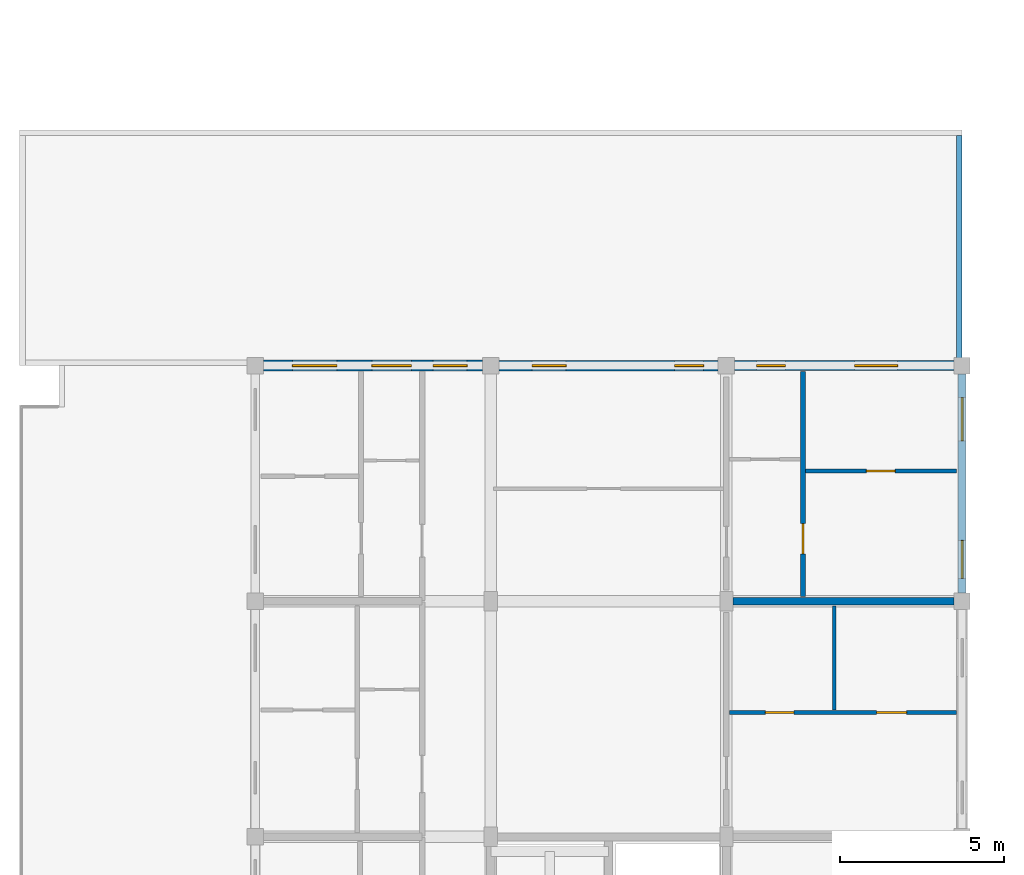
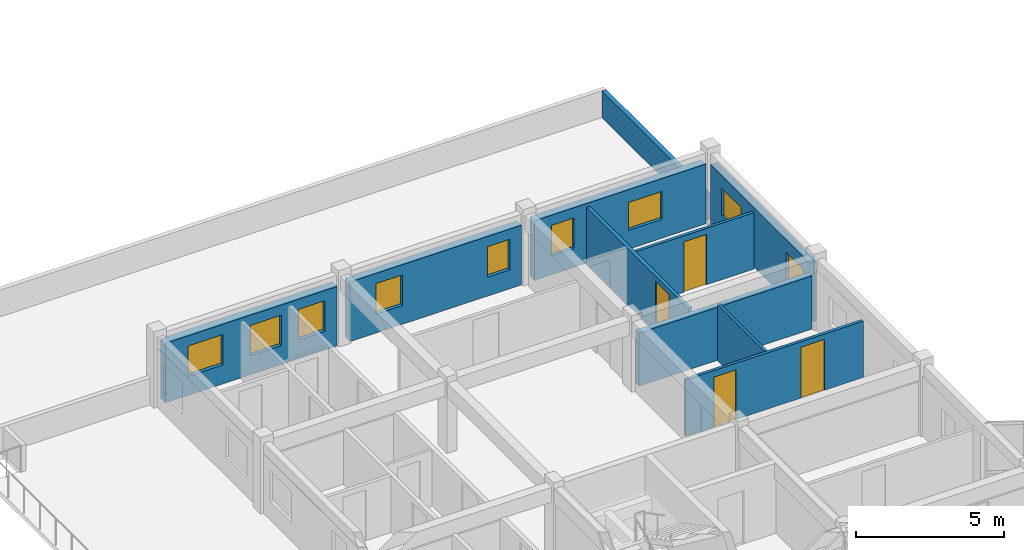
# One storey, part 58 of 70: 10 walls, 9 windows, 4 doors, 13 openings.
"""IFC4 building model written with IfcOpenShell, lengths in metres."""

from ifc_helpers import new_model, si_unit, direction, frame, frame_2d, origin, place, context, subcontext, project, spatial, rectangle, extrude, material, layer, layer_set, type_object, element, fill, save


model = new_model("IFC4")

# Units and contexts
model_context = context("Model", 3, precision=1e-05, world=origin(), true_north=direction((0.0, 1.0)))
body_context = subcontext(model_context, "Body", "Model", "MODEL_VIEW")
ifc_project = project(units=[si_unit("LENGTHUNIT", "METRE"), si_unit("AREAUNIT", "SQUARE_METRE"), si_unit("VOLUMEUNIT", "CUBIC_METRE"), si_unit("PLANEANGLEUNIT", "RADIAN"), si_unit("MASSUNIT", "GRAM", prefix="KILO"), si_unit("THERMODYNAMICTEMPERATUREUNIT", "KELVIN"), si_unit("POWERUNIT", "WATT")], contexts=[model_context])

# Site, building, storey
site_placement = place(None, origin())
site = spatial("IfcSite", under=ifc_project, at=site_placement, CompositionType="ELEMENT")
building_placement = place(site_placement, origin())
building = spatial("IfcBuilding", under=site, at=building_placement, Name="Tavuni Mirador Residences", CompositionType="ELEMENT")
storey_placement = place(building_placement, frame((0.0, 0.0, 23.39990234375)))
storey = spatial("IfcBuildingStorey", under=building, at=storey_placement, Name="L07", CompositionType="ELEMENT", Elevation=23.39990234375)

# Wall, openings, windows
ifc_material_1 = material(Name="Precast concrete C40/50", Category="concrete")
ifc_layer_1 = layer(ifc_material_1, 0.330078125, Name="Precast concrete C40/50", Category="concrete")
ifc_layer_set_1 = layer_set([ifc_layer_1], Name="Precast concrete C40/50")
wall_type_1 = type_object("IfcWallType", Name="WT-EXT-COR330", PredefinedType="SOLIDWALL", material=ifc_layer_set_1)
wall_1_placement = place(storey_placement, frame((104.14990234375, 129.60009765625, 0.0), z_axis=(0.0, 0.0, 1.0), x_axis=(-1.0, 0.0, 0.0)))
wall_1 = element("IfcWall", 1, at=wall_1_placement, inside=storey, type_object=wall_type_1, Name="EW-BLK-D-L07-N00", PredefinedType="SOLIDWALL", context=body_context, shape_type="SweptSolid", body=[
    extrude(rectangle(XDim=6.699951171875, YDim=0.330078125, at=frame_2d((3.35009765625, 0.0))), origin(), (0.0, 0.0, 1.0), 2.460205078125),
])
opening_1_placement = place(wall_1_placement, frame((0.47509765625, 0.0, 0.780029296875)))
opening_1 = element("IfcOpeningElement", 2, at=opening_1_placement, cuts=wall_1, Name="Opening WN-11", PredefinedType="OPENING", context=body_context, shape_type="SweptSolid", body=[
    extrude(rectangle(XDim=1.0400390625, YDim=1.260009765625, at=frame_2d((0.52001953125, 0.6298828125))), frame((0.0, 0.175048828125, 0.0), z_axis=(0.0, -1.0, 0.0), x_axis=(1.0, 0.0, 0.0)), (0.0, 0.0, 1.0), 0.35009765625),
])
opening_2_placement = place(wall_1_placement, frame((2.179931640625, 0.0, 0.780029296875)))
opening_2 = element("IfcOpeningElement", 3, at=opening_2_placement, cuts=wall_1, Name="Opening WN-13", PredefinedType="OPENING", context=body_context, shape_type="SweptSolid", body=[
    extrude(rectangle(XDim=1.199951171875, YDim=1.260009765625, at=frame_2d((0.60009765625, 0.6298828125))), frame((0.0, 0.175048828125, 0.0), z_axis=(0.0, -1.0, 0.0), x_axis=(1.0, 0.0, 0.0)), (0.0, 0.0, 1.0), 0.35009765625),
])
opening_3_placement = place(wall_1_placement, frame((4.455078125, 0.0, 0.780029296875)))
opening_3 = element("IfcOpeningElement", 4, at=opening_3_placement, cuts=wall_1, Name="Opening WN-15", PredefinedType="OPENING", context=body_context, shape_type="SweptSolid", body=[
    extrude(rectangle(XDim=1.360107421875, YDim=1.260009765625, at=frame_2d((0.68017578125, 0.6298828125))), frame((0.0, 0.175048828125, 0.0), z_axis=(0.0, -1.0, 0.0), x_axis=(1.0, 0.0, 0.0)), (0.0, 0.0, 1.0), 0.35009765625),
])
ifc_material_2 = material(Name="Laminated solar-control glass", Category="glass")
window_type_1 = type_object("IfcWindowType", Name="WNT-11", PartitioningType="SINGLE_PANEL", PredefinedType="WINDOW", material=ifc_material_2)
window_1_placement = place(opening_1_placement, origin())
window_1 = element("IfcWindow", 5, at=window_1_placement, inside=storey, type_object=window_type_1, Name="WIN-1713", OverallHeight=1.260009765625, OverallWidth=1.0400390625, PartitioningType="SINGLE_PANEL", PredefinedType="WINDOW", context=body_context, shape_type="SweptSolid", body=[
    extrude(rectangle(XDim=1.0400390625, YDim=1.260009765625, at=frame_2d((0.52001953125, 0.6298828125))), frame((0.0, 0.030029296875, 0.0), z_axis=(0.0, -1.0, 0.0), x_axis=(1.0, 0.0, 0.0)), (0.0, 0.0, 1.0), 0.06005859375),
])
fill(opening_1, window_1)
window_type_2 = type_object("IfcWindowType", Name="WNT-13", PartitioningType="SINGLE_PANEL", PredefinedType="WINDOW", material=ifc_material_2)
window_2_placement = place(opening_2_placement, origin())
window_2 = element("IfcWindow", 6, at=window_2_placement, inside=storey, type_object=window_type_2, Name="WIN-1714", OverallHeight=1.260009765625, OverallWidth=1.199951171875, PartitioningType="SINGLE_PANEL", PredefinedType="WINDOW", context=body_context, shape_type="SweptSolid", body=[
    extrude(rectangle(XDim=1.199951171875, YDim=1.260009765625, at=frame_2d((0.60009765625, 0.6298828125))), frame((0.0, 0.030029296875, 0.0), z_axis=(0.0, -1.0, 0.0), x_axis=(1.0, 0.0, 0.0)), (0.0, 0.0, 1.0), 0.06005859375),
])
fill(opening_2, window_2)
window_type_3 = type_object("IfcWindowType", Name="WNT-15", PartitioningType="SINGLE_PANEL", PredefinedType="WINDOW", material=ifc_material_2)
window_3_placement = place(opening_3_placement, origin())
window_3 = element("IfcWindow", 7, at=window_3_placement, inside=storey, type_object=window_type_3, Name="WIN-1715", OverallHeight=1.260009765625, OverallWidth=1.360107421875, PartitioningType="SINGLE_PANEL", PredefinedType="WINDOW", context=body_context, shape_type="SweptSolid", body=[
    extrude(rectangle(XDim=1.360107421875, YDim=1.260009765625, at=frame_2d((0.68017578125, 0.6298828125))), frame((0.0, 0.030029296875, 0.0), z_axis=(0.0, -1.0, 0.0), x_axis=(1.0, 0.0, 0.0)), (0.0, 0.0, 1.0), 0.06005859375),
])
fill(opening_3, window_3)

ifc_material_3 = material(Name="Sgraffito lime-rendered precast concrete C40/50", Category="concrete")
ifc_layer_2 = layer(ifc_material_3, 0.2548828125, Name="Sgraffito lime-rendered precast concrete C40/50", Category="concrete")
ifc_layer_set_2 = layer_set([ifc_layer_2], Name="Sgraffito lime-rendered precast concrete C40/50")
wall_type_2 = type_object("IfcWallType", Name="WT-EXT-PC255", PredefinedType="SOLIDWALL", material=ifc_layer_set_2)
wall_2_placement = place(storey_placement, frame((118.800048828125, 122.64990234375, 0.0), z_axis=(0.0, 0.0, 1.0), x_axis=(0.0, 1.0, 0.0)))
wall_2 = element("IfcWall", 8, at=wall_2_placement, inside=storey, type_object=wall_type_2, Name="EW-BLK-D-L07-E05", PredefinedType="SOLIDWALL", context=body_context, shape_type="SweptSolid", body=[
    extrude(rectangle(XDim=6.7001953125, YDim=0.2548828125, at=frame_2d((3.35009765625, 0.0))), origin(), (0.0, 0.0, 1.0), 2.460205078125),
])
opening_4_placement = place(wall_2_placement, frame((0.449951171875, 0.0, 0.780029296875)))
opening_4 = element("IfcOpeningElement", 9, at=opening_4_placement, cuts=wall_2, Name="Opening WN-05", PredefinedType="OPENING", context=body_context, shape_type="SweptSolid", body=[
    extrude(rectangle(XDim=1.159912109375, YDim=1.14990234375, at=frame_2d((0.580078125, 0.574951171875))), frame((0.0, 0.137451171875, 0.0), z_axis=(0.0, -1.0, 0.0), x_axis=(1.0, 0.0, 0.0)), (0.0, 0.0, 1.0), 0.27490234375),
])
opening_5_placement = place(wall_2_placement, frame((4.64990234375, 0.0, 0.780029296875)))
opening_5 = element("IfcOpeningElement", 10, at=opening_5_placement, cuts=wall_2, Name="Opening WN-07", PredefinedType="OPENING", context=body_context, shape_type="SweptSolid", body=[
    extrude(rectangle(XDim=1.320068359375, YDim=1.14990234375, at=frame_2d((0.66015625, 0.574951171875))), frame((0.0, 0.137451171875, 0.0), z_axis=(0.0, -1.0, 0.0), x_axis=(1.0, 0.0, 0.0)), (0.0, 0.0, 1.0), 0.27490234375),
])
window_type_4 = type_object("IfcWindowType", Name="WNT-05", PartitioningType="SINGLE_PANEL", PredefinedType="WINDOW", material=ifc_material_2)
window_4_placement = place(opening_4_placement, origin())
window_4 = element("IfcWindow", 11, at=window_4_placement, inside=storey, type_object=window_type_4, Name="WIN-1707", OverallHeight=1.14990234375, OverallWidth=1.159912109375, PartitioningType="SINGLE_PANEL", PredefinedType="WINDOW", context=body_context, shape_type="SweptSolid", body=[
    extrude(rectangle(XDim=1.159912109375, YDim=1.14990234375, at=frame_2d((0.580078125, 0.574951171875))), frame((0.0, 0.030029296875, 0.0), z_axis=(0.0, -1.0, 0.0), x_axis=(1.0, 0.0, 0.0)), (0.0, 0.0, 1.0), 0.06005859375),
])
fill(opening_4, window_4)
window_type_5 = type_object("IfcWindowType", Name="WNT-07", PartitioningType="SINGLE_PANEL", PredefinedType="WINDOW", material=ifc_material_2)
window_5_placement = place(opening_5_placement, origin())
window_5 = element("IfcWindow", 12, at=window_5_placement, inside=storey, type_object=window_type_5, Name="WIN-1708", OverallHeight=1.14990234375, OverallWidth=1.320068359375, PartitioningType="SINGLE_PANEL", PredefinedType="WINDOW", context=body_context, shape_type="SweptSolid", body=[
    extrude(rectangle(XDim=1.320068359375, YDim=1.14990234375, at=frame_2d((0.66015625, 0.574951171875))), frame((0.0, 0.030029296875, 0.0), z_axis=(0.0, -1.0, 0.0), x_axis=(1.0, 0.0, 0.0)), (0.0, 0.0, 1.0), 0.06005859375),
])
fill(opening_5, window_5)

ifc_layer_3 = layer(ifc_material_3, 0.304931640625, Name="Sgraffito lime-rendered precast concrete C40/50", Category="concrete")
ifc_layer_set_3 = layer_set([ifc_layer_3], Name="Sgraffito lime-rendered precast concrete C40/50")
wall_type_3 = type_object("IfcWallType", Name="WT-EXT-PC305", PredefinedType="SOLIDWALL", material=ifc_layer_set_3)
wall_3_placement = place(storey_placement, frame((118.550048828125, 129.60009765625, 0.0), z_axis=(0.0, 0.0, 1.0), x_axis=(-1.0, 0.0, 0.0)))
wall_3 = element("IfcWall", 13, at=wall_3_placement, inside=storey, type_object=wall_type_3, Name="EW-BLK-D-L07-N02", PredefinedType="SOLIDWALL", context=body_context, shape_type="SweptSolid", body=[
    extrude(rectangle(XDim=6.699951171875, YDim=0.304931640625, at=frame_2d((3.35009765625, 0.0))), origin(), (0.0, 0.0, 1.0), 2.460205078125),
])
opening_6_placement = place(wall_3_placement, frame((1.715087890625, 0.0, 0.780029296875)))
opening_6 = element("IfcOpeningElement", 14, at=opening_6_placement, cuts=wall_3, Name="Opening WN-07", PredefinedType="OPENING", context=body_context, shape_type="SweptSolid", body=[
    extrude(rectangle(XDim=1.320068359375, YDim=1.14990234375, at=frame_2d((0.66015625, 0.574951171875))), frame((0.0, 0.16259765625, 0.0), z_axis=(0.0, -1.0, 0.0), x_axis=(1.0, 0.0, 0.0)), (0.0, 0.0, 1.0), 0.324951171875),
])
opening_7_placement = place(wall_3_placement, frame((5.14501953125, 0.0, 0.780029296875)))
opening_7 = element("IfcOpeningElement", 15, at=opening_7_placement, cuts=wall_3, Name="Opening WN-09", PredefinedType="OPENING", context=body_context, shape_type="SweptSolid", body=[
    extrude(rectangle(XDim=0.8798828125, YDim=1.260009765625, at=frame_2d((0.43994140625, 0.6298828125))), frame((0.0, 0.16259765625, 0.0), z_axis=(0.0, -1.0, 0.0), x_axis=(1.0, 0.0, 0.0)), (0.0, 0.0, 1.0), 0.324951171875),
])
window_6_placement = place(opening_6_placement, origin())
window_6 = element("IfcWindow", 16, at=window_6_placement, inside=storey, type_object=window_type_5, Name="WIN-1709", OverallHeight=1.14990234375, OverallWidth=1.320068359375, PartitioningType="SINGLE_PANEL", PredefinedType="WINDOW", context=body_context, shape_type="SweptSolid", body=[
    extrude(rectangle(XDim=1.320068359375, YDim=1.14990234375, at=frame_2d((0.66015625, 0.574951171875))), frame((0.0, 0.030029296875, 0.0), z_axis=(0.0, -1.0, 0.0), x_axis=(1.0, 0.0, 0.0)), (0.0, 0.0, 1.0), 0.06005859375),
])
fill(opening_6, window_6)
window_type_6 = type_object("IfcWindowType", Name="WNT-09", PartitioningType="SINGLE_PANEL", PredefinedType="WINDOW", material=ifc_material_2)
window_7_placement = place(opening_7_placement, origin())
window_7 = element("IfcWindow", 17, at=window_7_placement, inside=storey, type_object=window_type_6, Name="WIN-1710", OverallHeight=1.260009765625, OverallWidth=0.8798828125, PartitioningType="SINGLE_PANEL", PredefinedType="WINDOW", context=body_context, shape_type="SweptSolid", body=[
    extrude(rectangle(XDim=0.8798828125, YDim=1.260009765625, at=frame_2d((0.43994140625, 0.6298828125))), frame((0.0, 0.030029296875, 0.0), z_axis=(0.0, -1.0, 0.0), x_axis=(1.0, 0.0, 0.0)), (0.0, 0.0, 1.0), 0.06005859375),
])
fill(opening_7, window_7)

ifc_layer_4 = layer(ifc_material_3, 0.31494140625, Name="Sgraffito lime-rendered precast concrete C40/50", Category="concrete")
ifc_layer_set_4 = layer_set([ifc_layer_4], Name="Sgraffito lime-rendered precast concrete C40/50")
wall_type_4 = type_object("IfcWallType", Name="WT-EXT-PC315", PredefinedType="SOLIDWALL", material=ifc_layer_set_4)
wall_4_placement = place(storey_placement, frame((111.35009765625, 129.60009765625, 0.0), z_axis=(0.0, 0.0, 1.0), x_axis=(-1.0, 0.0, 0.0)))
wall_4 = element("IfcWall", 18, at=wall_4_placement, inside=storey, type_object=wall_type_4, Name="EW-BLK-D-L07-N01", PredefinedType="SOLIDWALL", context=body_context, shape_type="SweptSolid", body=[
    extrude(rectangle(XDim=6.7001953125, YDim=0.31494140625, at=frame_2d((3.35009765625, 0.0))), origin(), (0.0, 0.0, 1.0), 2.460205078125),
])
opening_8_placement = place(wall_4_placement, frame((0.449951171875, 0.0, 0.780029296875)))
opening_8 = element("IfcOpeningElement", 19, at=opening_8_placement, cuts=wall_4, Name="Opening WN-09", PredefinedType="OPENING", context=body_context, shape_type="SweptSolid", body=[
    extrude(rectangle(XDim=0.8798828125, YDim=1.260009765625, at=frame_2d((0.43994140625, 0.6298828125))), frame((0.0, 0.16748046875, 0.0), z_axis=(0.0, -1.0, 0.0), x_axis=(1.0, 0.0, 0.0)), (0.0, 0.0, 1.0), 0.3349609375),
])
opening_9_placement = place(wall_4_placement, frame((4.64990234375, 0.0, 0.780029296875)))
opening_9 = element("IfcOpeningElement", 20, at=opening_9_placement, cuts=wall_4, Name="Opening WN-11", PredefinedType="OPENING", context=body_context, shape_type="SweptSolid", body=[
    extrude(rectangle(XDim=1.0400390625, YDim=1.260009765625, at=frame_2d((0.52001953125, 0.6298828125))), frame((0.0, 0.16748046875, 0.0), z_axis=(0.0, -1.0, 0.0), x_axis=(1.0, 0.0, 0.0)), (0.0, 0.0, 1.0), 0.3349609375),
])
window_8_placement = place(opening_8_placement, origin())
window_8 = element("IfcWindow", 21, at=window_8_placement, inside=storey, type_object=window_type_6, Name="WIN-1711", OverallHeight=1.260009765625, OverallWidth=0.8798828125, PartitioningType="SINGLE_PANEL", PredefinedType="WINDOW", context=body_context, shape_type="SweptSolid", body=[
    extrude(rectangle(XDim=0.8798828125, YDim=1.260009765625, at=frame_2d((0.43994140625, 0.6298828125))), frame((0.0, 0.030029296875, 0.0), z_axis=(0.0, -1.0, 0.0), x_axis=(1.0, 0.0, 0.0)), (0.0, 0.0, 1.0), 0.06005859375),
])
fill(opening_8, window_8)
window_9_placement = place(opening_9_placement, origin())
window_9 = element("IfcWindow", 22, at=window_9_placement, inside=storey, type_object=window_type_1, Name="WIN-1712", OverallHeight=1.260009765625, OverallWidth=1.0400390625, PartitioningType="SINGLE_PANEL", PredefinedType="WINDOW", context=body_context, shape_type="SweptSolid", body=[
    extrude(rectangle(XDim=1.0400390625, YDim=1.260009765625, at=frame_2d((0.52001953125, 0.6298828125))), frame((0.0, 0.030029296875, 0.0), z_axis=(0.0, -1.0, 0.0), x_axis=(1.0, 0.0, 0.0)), (0.0, 0.0, 1.0), 0.06005859375),
])
fill(opening_9, window_9)

# Walls
ifc_layer_5 = layer(ifc_material_1, 0.175048828125, Name="Precast concrete C40/50", Category="concrete")
ifc_layer_set_5 = layer_set([ifc_layer_5], Name="Precast concrete C40/50")
wall_type_5 = type_object("IfcWallType", Name="WT-PAR175", PredefinedType="PARAPET", material=ifc_layer_set_5)
wall_5_placement = place(storey_placement, frame((118.71240234375, 129.60009765625, 0.0), z_axis=(0.0, 0.0, 1.0), x_axis=(0.0, 1.0, 0.0)))
element("IfcWall", 23, at=wall_5_placement, inside=storey, type_object=wall_type_5, Name="Setback roof parapet ROOF-D-L07-N E", PredefinedType="PARAPET", context=body_context, shape_type="SweptSolid", body=[
    extrude(rectangle(XDim=7.02490234375, YDim=0.175048828125, at=frame_2d((3.512451171875, 0.0))), origin(), (0.0, 0.0, 1.0), 1.10009765625),
])
ifc_material_4 = material(Name="Acoustic gypsum and concrete block partition", Category="concrete")
ifc_layer_6 = layer(ifc_material_4, 0.10498046875, Name="Acoustic gypsum and concrete block partition", Category="concrete")
ifc_layer_set_6 = layer_set([ifc_layer_6], Name="Acoustic gypsum and concrete block partition")
wall_type_6 = type_object("IfcWallType", Name="WT-PART105", PredefinedType="PARTITIONING", material=ifc_layer_set_6)
wall_6_placement = place(storey_placement, frame((114.89990234375, 119.070068359375, 0.0), z_axis=(0.0, 0.0, 1.0), x_axis=(0.0, 1.0, 0.0)))
element("IfcWall", 24, at=wall_6_placement, inside=storey, type_object=wall_type_6, Name="PW-BLK-D-L07-PF04-V", PredefinedType="PARTITIONING", context=body_context, shape_type="SweptSolid", body=[
    extrude(rectangle(XDim=3.18994140625, YDim=0.10498046875, at=frame_2d((1.594970703125, 0.0))), origin(), (0.0, 0.0, 1.0), 2.3251953125),
])

# Wall, openings, doors
ifc_layer_7 = layer(ifc_material_4, 0.114990234375, Name="Acoustic gypsum and concrete block partition", Category="concrete")
ifc_layer_set_7 = layer_set([ifc_layer_7], Name="Acoustic gypsum and concrete block partition")
wall_type_7 = type_object("IfcWallType", Name="WT-PART115", PredefinedType="PARTITIONING", material=ifc_layer_set_7)
wall_7_placement = place(storey_placement, frame((111.68994140625, 119.0, 0.0), z_axis=(0.0, 0.0, 1.0), x_axis=(1.0, 0.0, 0.0)))
wall_7 = element("IfcWall", 25, at=wall_7_placement, inside=storey, type_object=wall_type_7, Name="PW-BLK-D-L07-PF04-H", PredefinedType="PARTITIONING", context=body_context, shape_type="SweptSolid", body=[
    extrude(rectangle(XDim=6.93505859375, YDim=0.114990234375, at=frame_2d((3.467529296875, 0.0))), origin(), (0.0, 0.0, 1.0), 2.3251953125),
])
opening_10_placement = place(wall_7_placement, frame((1.10009765625, 0.0, 0.0)))
opening_10 = element("IfcOpeningElement", 26, at=opening_10_placement, cuts=wall_7, Name="Opening D-10", PredefinedType="OPENING", context=body_context, shape_type="SweptSolid", body=[
    extrude(rectangle(XDim=0.8701171875, YDim=2.050048828125, at=frame_2d((0.43505859375, 1.02490234375))), frame((0.0, 0.0673828125, 0.0), z_axis=(0.0, -1.0, 0.0), x_axis=(1.0, 0.0, 0.0)), (0.0, 0.0, 1.0), 0.135009765625),
])
opening_11_placement = place(wall_7_placement, frame((4.5, 0.0, 0.0)))
opening_11 = element("IfcOpeningElement", 27, at=opening_11_placement, cuts=wall_7, Name="Opening D-06", PredefinedType="OPENING", context=body_context, shape_type="SweptSolid", body=[
    extrude(rectangle(XDim=0.919921875, YDim=2.10009765625, at=frame_2d((0.4599609375, 1.050048828125))), frame((0.0, 0.0673828125, 0.0), z_axis=(0.0, -1.0, 0.0), x_axis=(1.0, 0.0, 0.0)), (0.0, 0.0, 1.0), 0.135009765625),
])
ifc_material_5 = material(Name="Solid core iroko timber", Category="wood")
door_type_1 = type_object("IfcDoorType", Name="DT-INT920", OperationType="NOTDEFINED", PredefinedType="DOOR", material=ifc_material_5)
door_1_placement = place(opening_11_placement, origin())
door_1 = element("IfcDoor", 28, at=door_1_placement, inside=storey, type_object=door_type_1, Name="DR-4572", OperationType="SINGLE_SWING_RIGHT", OverallHeight=2.10009765625, OverallWidth=0.919921875, PredefinedType="DOOR", context=body_context, shape_type="SweptSolid", body=[
    extrude(rectangle(XDim=0.919921875, YDim=2.10009765625, at=frame_2d((0.4599609375, 1.050048828125))), frame((0.0, 0.02490234375, 0.0), z_axis=(0.0, -1.0, 0.0), x_axis=(1.0, 0.0, 0.0)), (0.0, 0.0, 1.0), 0.050048828125),
])
fill(opening_11, door_1)
door_type_2 = type_object("IfcDoorType", Name="DT-WC870", OperationType="NOTDEFINED", PredefinedType="DOOR", material=ifc_material_5)
door_2_placement = place(opening_10_placement, origin())
door_2 = element("IfcDoor", 29, at=door_2_placement, inside=storey, type_object=door_type_2, Name="DR-4571", OperationType="SINGLE_SWING_LEFT", OverallHeight=2.050048828125, OverallWidth=0.8701171875, PredefinedType="DOOR", context=body_context, shape_type="SweptSolid", body=[
    extrude(rectangle(XDim=0.8701171875, YDim=2.050048828125, at=frame_2d((0.43505859375, 1.02490234375))), frame((0.0, 0.02490234375, 0.0), z_axis=(0.0, -1.0, 0.0), x_axis=(1.0, 0.0, 0.0)), (0.0, 0.0, 1.0), 0.050048828125),
])
fill(opening_10, door_2)

# Wall, opening, door
wall_8_placement = place(storey_placement, frame((114.010009765625, 126.3798828125, 0.0), z_axis=(0.0, 0.0, 1.0), x_axis=(1.0, 0.0, 0.0)))
wall_8 = element("IfcWall", 30, at=wall_8_placement, inside=storey, type_object=wall_type_7, Name="PW-BLK-D-L07-E05-OUT", PredefinedType="PARTITIONING", context=body_context, shape_type="SweptSolid", body=[
    extrude(rectangle(XDim=4.614990234375, YDim=0.114990234375, at=frame_2d((2.3076171875, 0.0))), origin(), (0.0, 0.0, 1.0), 2.3251953125),
])
opening_12_placement = place(wall_8_placement, frame((1.867431640625, 0.0, 0.0)))
opening_12 = element("IfcOpeningElement", 31, at=opening_12_placement, cuts=wall_8, Name="Opening D-08", PredefinedType="OPENING", context=body_context, shape_type="SweptSolid", body=[
    extrude(rectangle(XDim=0.8798828125, YDim=2.080078125, at=frame_2d((0.43994140625, 1.0400390625))), frame((0.0, 0.0673828125, 0.0), z_axis=(0.0, -1.0, 0.0), x_axis=(1.0, 0.0, 0.0)), (0.0, 0.0, 1.0), 0.135009765625),
])
door_type_3 = type_object("IfcDoorType", Name="DT-BED880", OperationType="NOTDEFINED", PredefinedType="DOOR", material=ifc_material_5)
door_3_placement = place(opening_12_placement, origin())
door_3 = element("IfcDoor", 32, at=door_3_placement, inside=storey, type_object=door_type_3, Name="DR-4577", OperationType="SINGLE_SWING_RIGHT", OverallHeight=2.080078125, OverallWidth=0.8798828125, PredefinedType="DOOR", context=body_context, shape_type="SweptSolid", body=[
    extrude(rectangle(XDim=0.8798828125, YDim=2.080078125, at=frame_2d((0.43994140625, 1.0400390625))), frame((0.0, 0.02490234375, 0.0), z_axis=(0.0, -1.0, 0.0), x_axis=(1.0, 0.0, 0.0)), (0.0, 0.0, 1.0), 0.050048828125),
])
fill(opening_12, door_3)

ifc_layer_8 = layer(ifc_material_4, 0.139892578125, Name="Acoustic gypsum and concrete block partition", Category="concrete")
ifc_layer_set_8 = layer_set([ifc_layer_8], Name="Acoustic gypsum and concrete block partition")
wall_type_8 = type_object("IfcWallType", Name="WT-PART140", PredefinedType="PARTITIONING", material=ifc_layer_set_8)
wall_9_placement = place(storey_placement, frame((113.93994140625, 122.5400390625, 0.0), z_axis=(0.0, 0.0, 1.0), x_axis=(0.0, 1.0, 0.0)))
wall_9 = element("IfcWall", 33, at=wall_9_placement, inside=storey, type_object=wall_type_8, Name="PW-BLK-D-L07-E05-MID", PredefinedType="PARTITIONING", context=body_context, shape_type="SweptSolid", body=[
    extrude(rectangle(XDim=6.885009765625, YDim=0.139892578125, at=frame_2d((3.4423828125, 0.0))), origin(), (0.0, 0.0, 1.0), 2.3251953125),
])
opening_13_placement = place(wall_9_placement, frame((1.31005859375, 0.0, 0.0)))
opening_13 = element("IfcOpeningElement", 34, at=opening_13_placement, cuts=wall_9, Name="Opening D-06", PredefinedType="OPENING", context=body_context, shape_type="SweptSolid", body=[
    extrude(rectangle(XDim=0.919921875, YDim=2.10009765625, at=frame_2d((0.4599609375, 1.050048828125))), frame((0.0, 0.080078125, 0.0), z_axis=(0.0, -1.0, 0.0), x_axis=(1.0, 0.0, 0.0)), (0.0, 0.0, 1.0), 0.159912109375),
])
door_4_placement = place(opening_13_placement, origin())
door_4 = element("IfcDoor", 35, at=door_4_placement, inside=storey, type_object=door_type_1, Name="DR-4579", OperationType="SINGLE_SWING_RIGHT", OverallHeight=2.10009765625, OverallWidth=0.919921875, PredefinedType="DOOR", context=body_context, shape_type="SweptSolid", body=[
    extrude(rectangle(XDim=0.919921875, YDim=2.10009765625, at=frame_2d((0.4599609375, 1.050048828125))), frame((0.0, 0.02490234375, 0.0), z_axis=(0.0, -1.0, 0.0), x_axis=(1.0, 0.0, 0.0)), (0.0, 0.0, 1.0), 0.050048828125),
])
fill(opening_13, door_4)

# Wall
ifc_layer_9 = layer(ifc_material_1, 0.235107421875, Name="Precast concrete C40/50", Category="concrete")
ifc_layer_set_9 = layer_set([ifc_layer_9], Name="Precast concrete C40/50")
wall_type_9 = type_object("IfcWallType", Name="WT-XW235", PredefinedType="SOLIDWALL", material=ifc_layer_set_9)
wall_10_placement = place(storey_placement, frame((111.800048828125, 122.39990234375, 0.0), z_axis=(0.0, 0.0, 1.0), x_axis=(1.0, 0.0, 0.0)))
element("IfcWall", 36, at=wall_10_placement, inside=storey, type_object=wall_type_9, Name="XW-BLK-D-L07-E-05", PredefinedType="SOLIDWALL", context=body_context, shape_type="SweptSolid", body=[
    extrude(rectangle(XDim=6.75, YDim=0.235107421875, at=frame_2d((3.375, 0.0))), origin(), (0.0, 0.0, 1.0), 2.190185546875),
])

save(model, "model.ifc")
